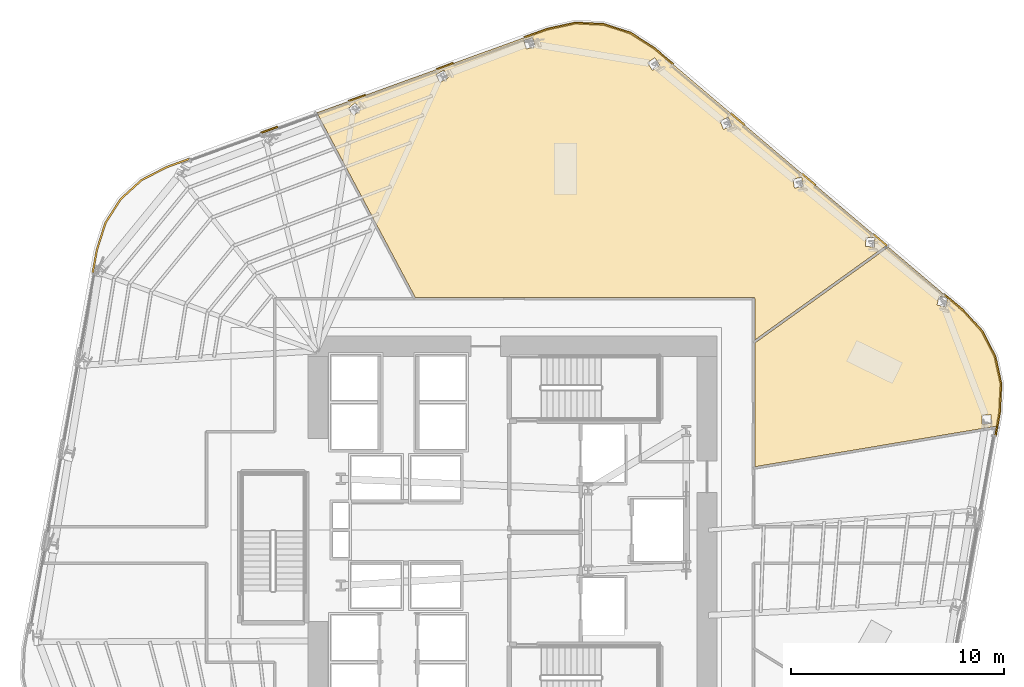
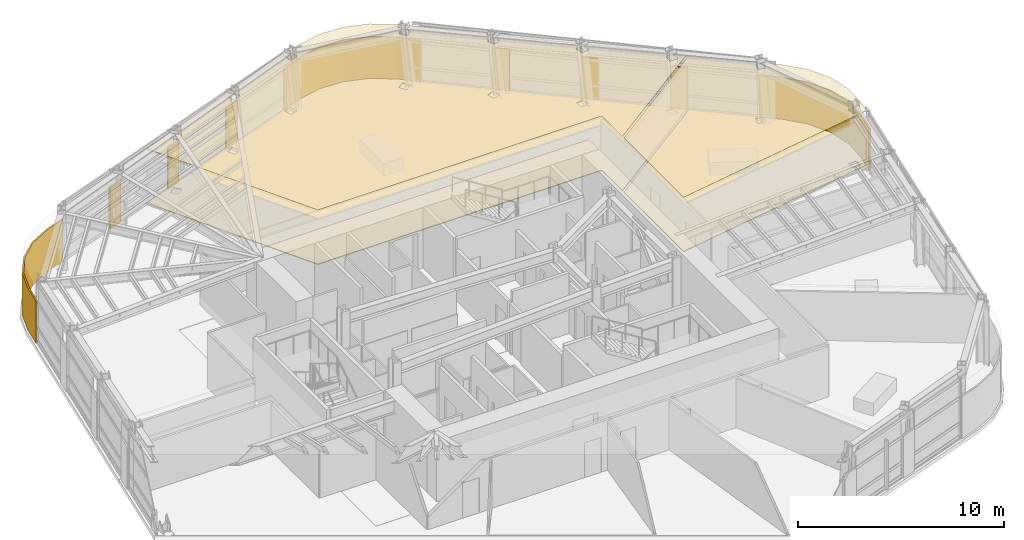
# One storey, part 17 of 18: 13 coverings.
"""IFC4 building model written with IfcOpenShell, lengths in metres."""

from ifc_helpers import new_model, si_unit, direction, frame, origin, place, context, subcontext, project, spatial, polyline, outline, extrude, material, layer, layer_set, type_object, element, save


model = new_model("IFC4")

# Units and contexts
model_context = context("Model", 3, precision=1e-05, world=origin(), true_north=direction((0.0, 1.0)))
body_context = subcontext(model_context, "Body", "Model", "MODEL_VIEW")
ifc_project = project(units=[si_unit("LENGTHUNIT", "METRE"), si_unit("AREAUNIT", "SQUARE_METRE"), si_unit("VOLUMEUNIT", "CUBIC_METRE"), si_unit("PLANEANGLEUNIT", "RADIAN"), si_unit("MASSUNIT", "GRAM", prefix="KILO")], contexts=[model_context])

# Site, building, storey
site_placement = place(None, origin())
site = spatial("IfcSite", under=ifc_project, at=site_placement, CompositionType="ELEMENT")
building_placement = place(site_placement, origin())
building = spatial("IfcBuilding", under=site, at=building_placement, Name="Valkerne Bourse Tower", CompositionType="ELEMENT")
storey_placement = place(building_placement, frame((0.0, 0.0, 108.60009765625)))
storey = spatial("IfcBuildingStorey", under=building, at=storey_placement, Name="L27", CompositionType="ELEMENT", Elevation=108.60009765625)

# Coverings
ifc_material_1 = material(Name="Mineral Fiber Acoustic Ceiling Tile", Category="acoustic")
ifc_layer_1 = layer(ifc_material_1, 0.02490234375)
ifc_layer_set_1 = layer_set([ifc_layer_1], Name="Mineral Fiber Acoustic Ceiling Tile")
covering_type_1 = type_object("IfcCoveringType", Name="COV-CEIL-ACT", PredefinedType="CEILING", material=ifc_layer_set_1)
covering_1_placement = place(storey_placement, frame((0.0, 0.0, 3.22998046875)))
element("IfcCovering", 1, at=covering_1_placement, inside=storey, type_object=covering_type_1, Name="L27 Suspended Ceiling 05", PredefinedType="CEILING", context=body_context, shape_type="SweptSolid", body=[
    extrude(outline(polyline([(69.428466796875, 35.146728515625), (69.709716796875, 33.857421875), (69.64697265625, 32.52978515625), (69.531494140625, 31.87939453125), (58.1689453125, 29.9697265625), (58.1689453125, 35.769287109375), (64.430908203125, 40.27099609375), (67.9287109375, 37.302490234375), (68.8232421875, 36.3193359375), (69.428466796875, 35.146728515625)]), holes=[polyline([(69.24560546875, 32.407958984375), (69.244873046875, 32.4111328125), (68.813232421875, 32.39111328125), (68.831787109375, 31.976318359375), (68.83251953125, 31.97314453125), (69.264404296875, 31.9931640625), (69.24560546875, 32.407958984375)]), polyline([(67.21533203125, 37.884521484375), (67.2138671875, 37.887451171875), (66.807373046875, 37.9765625), (66.712890625, 37.555908203125), (66.714599609375, 37.552978515625), (67.12109375, 37.4638671875), (67.21533203125, 37.884521484375)])]), origin(), (0.0, 0.0, 1.0), 0.02490234375),
])
covering_2_placement = place(storey_placement, frame((0.0, 0.0, 3.22998046875)))
element("IfcCovering", 2, at=covering_2_placement, inside=storey, type_object=covering_type_1, Name="L27 Suspended Ceiling 09", PredefinedType="CEILING", context=body_context, shape_type="SweptSolid", body=[
    extrude(outline(polyline([(51.067138671875, 50.71630859375), (52.32421875, 50.31494140625), (53.442626953125, 49.596923828125), (64.338134765625, 40.349609375), (58.1689453125, 35.91455078125), (58.1689453125, 37.853515625), (58.151611328125, 37.89599609375), (58.110107421875, 37.91845703125), (42.239501953125, 37.9189453125), (37.6318359375, 46.57421875), (48.45068359375, 50.4951171875), (49.749267578125, 50.7783203125), (51.067138671875, 50.71630859375)]), holes=[polyline([(39.36181640625, 46.445068359375), (39.691162109375, 46.72265625), (39.42333984375, 47.0419921875), (39.42041015625, 47.041015625), (39.091064453125, 46.763427734375), (39.35888671875, 46.444091796875), (39.36181640625, 46.445068359375)]), polyline([(43.7841796875, 48.201904296875), (43.587158203125, 48.569091796875), (43.583984375, 48.568603515625), (43.205078125, 48.364013671875), (43.402099609375, 47.996826171875), (43.4052734375, 47.997314453125), (43.7841796875, 48.201904296875)]), polyline([(53.483642578125, 49.149169921875), (53.48046875, 49.150146484375), (53.13037109375, 48.925048828125), (53.362060546875, 48.5615234375), (53.365234375, 48.560546875), (53.715087890625, 48.78564453125), (53.483642578125, 49.149169921875)]), polyline([(47.74267578125, 50.08642578125), (47.7392578125, 50.086669921875), (47.328857421875, 49.956787109375), (47.45361328125, 49.55908203125), (47.456787109375, 49.55908203125), (47.8671875, 49.68896484375), (47.74267578125, 50.08642578125)]), polyline([(63.794677734375, 40.71240234375), (63.792724609375, 40.715087890625), (63.376708984375, 40.7265625), (63.363037109375, 40.29541015625), (63.364990234375, 40.29296875), (63.781005859375, 40.281494140625), (63.794677734375, 40.71240234375)]), polyline([(60.3623046875, 43.535888671875), (60.360107421875, 43.537841796875), (59.9501953125, 43.464599609375), (60.024658203125, 43.039794921875), (60.027099609375, 43.03759765625), (60.436767578125, 43.111083984375), (60.3623046875, 43.535888671875)]), polyline([(57.082275390625, 45.9482421875), (56.9228515625, 46.348876953125), (56.920166015625, 46.350341796875), (56.533935546875, 46.195068359375), (56.693359375, 45.794189453125), (56.696044921875, 45.792724609375), (57.082275390625, 45.9482421875)])]), origin(), (0.0, 0.0, 1.0), 0.02490234375),
])
ifc_material_2 = material(Name="Bronze Anodised Aluminium AA 6063-T6", Category="aluminium")
ifc_layer_2 = layer(ifc_material_2, 0.06005859375)
ifc_layer_set_2 = layer_set([ifc_layer_2], Name="Bronze Anodised Aluminium AA 6063-T6")
covering_type_2 = type_object("IfcCoveringType", Name="COV-CRN-ALUM", PredefinedType="CLADDING", material=ifc_layer_set_2)
covering_3_placement = place(storey_placement, origin())
element("IfcCovering", 3, at=covering_3_placement, inside=storey, type_object=covering_type_2, Name="L27 Wind-Shaped Corner Aluminium Cladding 13", PredefinedType="CLADDING", context=body_context, shape_type="SweptSolid", body=[
    extrude(outline(polyline([(27.270751953125, 40.157470703125), (27.677490234375, 41.431884765625), (28.396484375, 42.552001953125), (29.381103515625, 43.447998046875), (30.56982421875, 44.0615234375), (31.646484375, 44.451904296875), (31.673583984375, 44.37646484375), (30.60205078125, 43.988037109375), (29.42724609375, 43.381591796875), (28.458251953125, 42.5), (27.75048828125, 41.397705078125), (27.348388671875, 40.137939453125), (27.144287109375, 39.0166015625), (27.0654296875, 39.03076171875), (27.270751953125, 40.157470703125)])), origin(), (0.0, 0.0, 1.0), 2.5),
])
covering_4_placement = place(storey_placement, origin())
element("IfcCovering", 4, at=covering_4_placement, inside=storey, type_object=covering_type_2, Name="L27 Wind-Shaped Corner Aluminium Cladding 14", PredefinedType="CLADDING", context=body_context, shape_type="SweptSolid", body=[
    extrude(outline(polyline([(35.767333984375, 45.9453125), (35.79443359375, 45.8701171875), (35.004638671875, 45.583740234375), (34.9775390625, 45.658935546875), (35.767333984375, 45.9453125)])), origin(), (0.0, 0.0, 1.0), 2.5),
])
covering_5_placement = place(storey_placement, origin())
element("IfcCovering", 5, at=covering_5_placement, inside=storey, type_object=covering_type_2, Name="L27 Wind-Shaped Corner Aluminium Cladding 15", PredefinedType="CLADDING", context=body_context, shape_type="SweptSolid", body=[
    extrude(outline(polyline([(39.887939453125, 47.438720703125), (39.9150390625, 47.36328125), (39.12548828125, 47.0771484375), (39.098388671875, 47.152587890625), (39.887939453125, 47.438720703125)])), origin(), (0.0, 0.0, 1.0), 2.5),
])
covering_6_placement = place(storey_placement, origin())
element("IfcCovering", 6, at=covering_6_placement, inside=storey, type_object=covering_type_2, Name="L27 Wind-Shaped Corner Aluminium Cladding 16", PredefinedType="CLADDING", context=body_context, shape_type="SweptSolid", body=[
    extrude(outline(polyline([(44.0087890625, 48.93212890625), (44.035888671875, 48.85693359375), (43.24609375, 48.57080078125), (43.218994140625, 48.64599609375), (44.0087890625, 48.93212890625)])), origin(), (0.0, 0.0, 1.0), 2.5),
])
covering_7_placement = place(storey_placement, origin())
element("IfcCovering", 7, at=covering_7_placement, inside=storey, type_object=covering_type_2, Name="L27 Wind-Shaped Corner Aluminium Cladding 17", PredefinedType="CLADDING", context=body_context, shape_type="SweptSolid", body=[
    extrude(outline(polyline([(48.4384765625, 50.53759765625), (49.745361328125, 50.822509765625), (51.074951171875, 50.759765625), (52.34326171875, 50.35498046875), (53.468994140625, 49.63232421875), (54.35986328125, 48.876220703125), (54.30810546875, 48.815185546875), (53.421142578125, 49.568115234375), (52.308837890625, 50.281982421875), (51.060791015625, 50.680419921875), (49.752197265625, 50.7421875), (48.460693359375, 50.460693359375), (47.366943359375, 50.064208984375), (47.33984375, 50.139404296875), (48.4384765625, 50.53759765625)])), origin(), (0.0, 0.0, 1.0), 2.5),
])
covering_8_placement = place(storey_placement, origin())
element("IfcCovering", 8, at=covering_8_placement, inside=storey, type_object=covering_type_2, Name="L27 Wind-Shaped Corner Aluminium Cladding 18", PredefinedType="CLADDING", context=body_context, shape_type="SweptSolid", body=[
    extrude(outline(polyline([(57.701416015625, 46.0400390625), (57.64990234375, 45.97900390625), (57.009521484375, 46.522705078125), (57.06103515625, 46.583740234375), (57.701416015625, 46.0400390625)])), origin(), (0.0, 0.0, 1.0), 2.5),
])
covering_9_placement = place(storey_placement, origin())
element("IfcCovering", 9, at=covering_9_placement, inside=storey, type_object=covering_type_2, Name="L27 Wind-Shaped Corner Aluminium Cladding 19", PredefinedType="CLADDING", context=body_context, shape_type="SweptSolid", body=[
    extrude(outline(polyline([(61.043212890625, 43.2041015625), (60.99169921875, 43.142822265625), (60.351318359375, 43.686279296875), (60.40283203125, 43.74755859375), (61.043212890625, 43.2041015625)])), origin(), (0.0, 0.0, 1.0), 2.5),
])
covering_10_placement = place(storey_placement, origin())
element("IfcCovering", 10, at=covering_10_placement, inside=storey, type_object=covering_type_2, Name="L27 Wind-Shaped Corner Aluminium Cladding 20", PredefinedType="CLADDING", context=body_context, shape_type="SweptSolid", body=[
    extrude(outline(polyline([(64.385009765625, 40.367919921875), (64.333251953125, 40.306640625), (63.69287109375, 40.850341796875), (63.744384765625, 40.911376953125), (64.385009765625, 40.367919921875)])), origin(), (0.0, 0.0, 1.0), 2.5),
])
covering_11_placement = place(storey_placement, origin())
element("IfcCovering", 11, at=covering_11_placement, inside=storey, type_object=covering_type_2, Name="L27 Wind-Shaped Corner Aluminium Cladding 21", PredefinedType="CLADDING", context=body_context, shape_type="SweptSolid", body=[
    extrude(outline(polyline([(67.959228515625, 37.334228515625), (68.859619140625, 36.344482421875), (69.47021484375, 35.161865234375), (69.75390625, 33.861083984375), (69.69091796875, 32.52490234375), (69.490478515625, 31.397216796875), (69.41162109375, 31.41162109375), (69.611083984375, 32.53369140625), (69.67333984375, 33.8544921875), (69.394287109375, 35.134521484375), (68.79345703125, 36.298583984375), (67.903564453125, 37.276611328125), (67.03466796875, 38.013916015625), (67.086181640625, 38.0751953125), (67.959228515625, 37.334228515625)])), origin(), (0.0, 0.0, 1.0), 2.5),
])
ifc_material_3 = material(Name="Galvanised Painted Steel", Category="steel")
ifc_layer_3 = layer(ifc_material_3, 0.044921875)
ifc_layer_set_3 = layer_set([ifc_layer_3], Name="Galvanised Painted Steel")
covering_type_3 = type_object("IfcCoveringType", Name="COV-FLR-RAF", PredefinedType="FLOORING", material=ifc_layer_set_3)
covering_12_placement = place(storey_placement, origin())
element("IfcCovering", 12, at=covering_12_placement, inside=storey, type_object=covering_type_3, Name="L27 Floor Finish 05", PredefinedType="FLOORING", context=body_context, shape_type="SweptSolid", body=[
    extrude(outline(polyline([(69.428466796875, 35.146728515625), (69.709716796875, 33.857421875), (69.64697265625, 32.52978515625), (69.531494140625, 31.87939453125), (58.1689453125, 29.9697265625), (58.1689453125, 35.769287109375), (64.430908203125, 40.27099609375), (67.9287109375, 37.302490234375), (68.8232421875, 36.3193359375), (69.428466796875, 35.146728515625)]), holes=[polyline([(69.24560546875, 32.407958984375), (69.244873046875, 32.4111328125), (68.813232421875, 32.39111328125), (68.831787109375, 31.976318359375), (68.83251953125, 31.97314453125), (69.264404296875, 31.9931640625), (69.24560546875, 32.407958984375)]), polyline([(67.21533203125, 37.884521484375), (67.2138671875, 37.887451171875), (66.807373046875, 37.9765625), (66.712890625, 37.555908203125), (66.714599609375, 37.552978515625), (67.12109375, 37.4638671875), (67.21533203125, 37.884521484375)])]), origin(), (0.0, 0.0, 1.0), 0.044921875),
])
covering_13_placement = place(storey_placement, origin())
element("IfcCovering", 13, at=covering_13_placement, inside=storey, type_object=covering_type_3, Name="L27 Floor Finish 09", PredefinedType="FLOORING", context=body_context, shape_type="SweptSolid", body=[
    extrude(outline(polyline([(51.067138671875, 50.71630859375), (52.32421875, 50.31494140625), (53.442626953125, 49.596923828125), (64.338134765625, 40.349609375), (58.1689453125, 35.91455078125), (58.1689453125, 37.853515625), (58.151611328125, 37.89599609375), (58.110107421875, 37.91845703125), (42.239501953125, 37.9189453125), (37.6318359375, 46.57421875), (48.45068359375, 50.4951171875), (49.749267578125, 50.7783203125), (51.067138671875, 50.71630859375)]), holes=[polyline([(39.36181640625, 46.445068359375), (39.691162109375, 46.72265625), (39.42333984375, 47.0419921875), (39.42041015625, 47.041015625), (39.091064453125, 46.763427734375), (39.35888671875, 46.444091796875), (39.36181640625, 46.445068359375)]), polyline([(43.7841796875, 48.201904296875), (43.587158203125, 48.569091796875), (43.583984375, 48.568603515625), (43.205078125, 48.364013671875), (43.402099609375, 47.996826171875), (43.4052734375, 47.997314453125), (43.7841796875, 48.201904296875)]), polyline([(53.483642578125, 49.149169921875), (53.48046875, 49.150146484375), (53.13037109375, 48.925048828125), (53.362060546875, 48.5615234375), (53.365234375, 48.560546875), (53.715087890625, 48.78564453125), (53.483642578125, 49.149169921875)]), polyline([(47.74267578125, 50.08642578125), (47.7392578125, 50.086669921875), (47.328857421875, 49.956787109375), (47.45361328125, 49.55908203125), (47.456787109375, 49.55908203125), (47.8671875, 49.68896484375), (47.74267578125, 50.08642578125)]), polyline([(63.794677734375, 40.71240234375), (63.792724609375, 40.715087890625), (63.376708984375, 40.7265625), (63.363037109375, 40.29541015625), (63.364990234375, 40.29296875), (63.781005859375, 40.281494140625), (63.794677734375, 40.71240234375)]), polyline([(60.3623046875, 43.535888671875), (60.360107421875, 43.537841796875), (59.9501953125, 43.464599609375), (60.024658203125, 43.039794921875), (60.027099609375, 43.03759765625), (60.436767578125, 43.111083984375), (60.3623046875, 43.535888671875)]), polyline([(57.082275390625, 45.9482421875), (56.9228515625, 46.348876953125), (56.920166015625, 46.350341796875), (56.533935546875, 46.195068359375), (56.693359375, 45.794189453125), (56.696044921875, 45.792724609375), (57.082275390625, 45.9482421875)])]), origin(), (0.0, 0.0, 1.0), 0.044921875),
])

save(model, "model.ifc")
